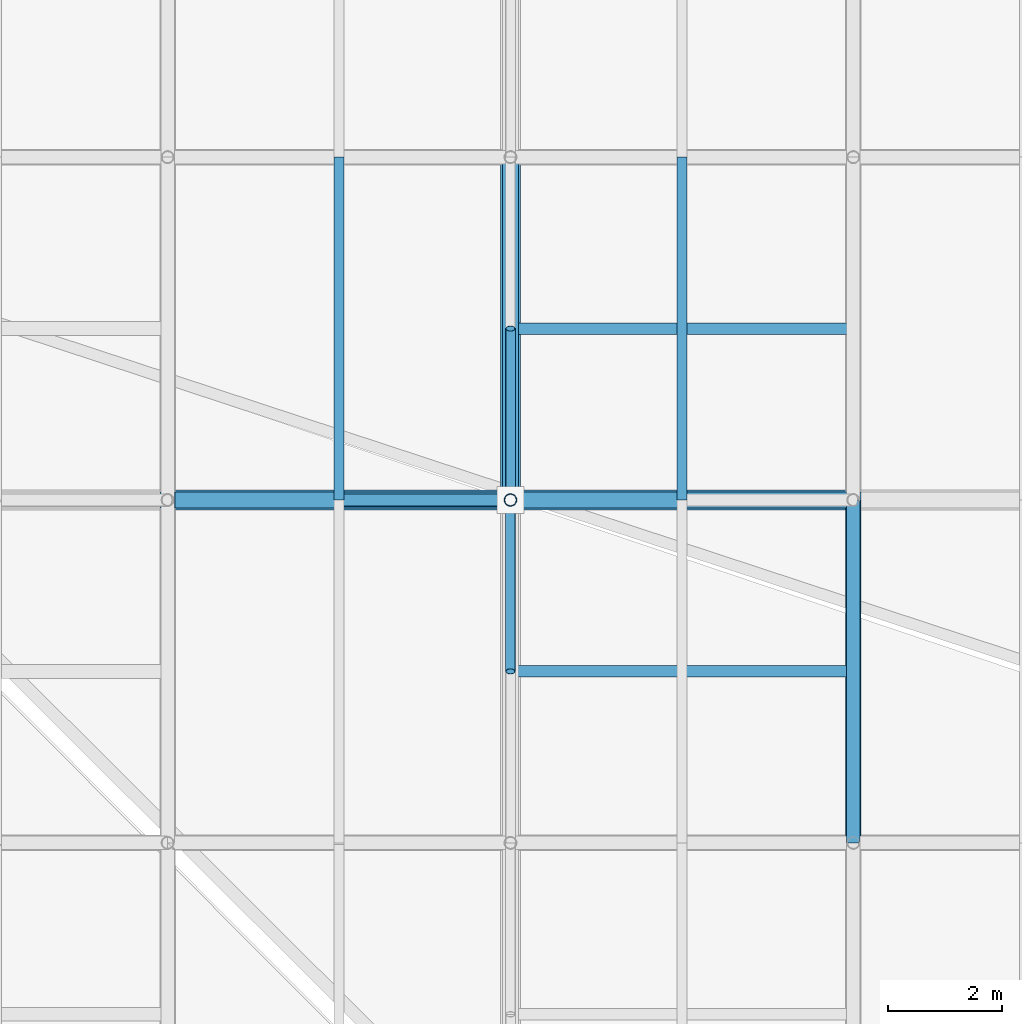
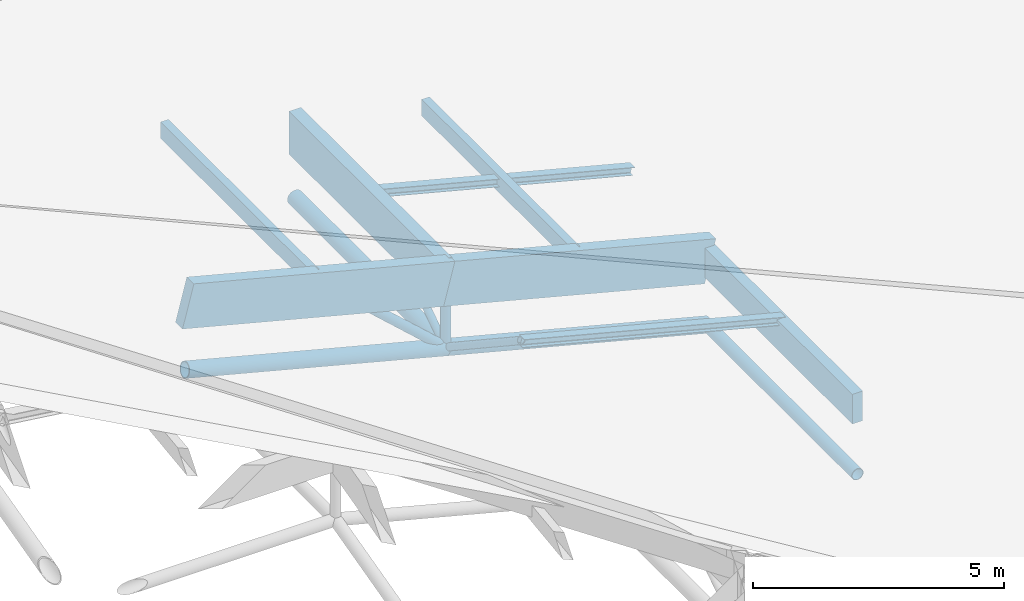
# One storey, part 37 of 80: 16 members.
"""IFC4 building model written with IfcOpenShell, lengths in metres."""

from ifc_helpers import new_model, si_unit, direction, frame, origin, origin_2d, place, context, subcontext, project, spatial, rectangle, hollow_circle, i_section, extrude, material, material_profile, profile_set, type_object, element, save


model = new_model("IFC4")

# Units and contexts
model_context = context("Model", 3, precision=1e-05, world=origin(), true_north=direction((0.0, 1.0)))
body_context = subcontext(model_context, "Body", "Model", "MODEL_VIEW")
ifc_project = project(units=[si_unit("LENGTHUNIT", "METRE"), si_unit("AREAUNIT", "SQUARE_METRE"), si_unit("VOLUMEUNIT", "CUBIC_METRE"), si_unit("PLANEANGLEUNIT", "RADIAN"), si_unit("MASSUNIT", "GRAM", prefix="KILO"), si_unit("THERMODYNAMICTEMPERATUREUNIT", "KELVIN"), si_unit("POWERUNIT", "WATT")], contexts=[model_context])

# Site, building, storey
site_placement = place(None, origin())
site = spatial("IfcSite", under=ifc_project, at=site_placement, CompositionType="ELEMENT")
building_placement = place(site_placement, origin())
building = spatial("IfcBuilding", under=site, at=building_placement, Name="Solmara Park Aquatics Centre", CompositionType="ELEMENT")
storey_placement = place(building_placement, frame((0.0, 0.0, 22.800048828125)))
storey = spatial("IfcBuildingStorey", under=building, at=storey_placement, Name="RF", CompositionType="ELEMENT", Elevation=22.800048828125)

# Members
ifc_material_1 = material(Name="Structural Steel S355", Category="steel")
ifc_material_profile_1 = material_profile(ifc_material_1, hollow_circle(Radius=0.084228515625, WallThickness=0.008056640625, at=origin_2d()), Name="CHS 168.3x8")
ifc_profile_set_1 = profile_set([ifc_material_profile_1], Name="Structural Steel S355")
member_type_1 = type_object("IfcMemberType", Name="STR-BRC-CHS168", PredefinedType="BRACE", material=ifc_profile_set_1)
for number, where, z_axis, x_axis, name in (
    (1, (84.60009765625, 36.60009765625, -8.0380859375), (0.0, -0.834611904619, 0.550838423377), (1.0, 0.0, 0.0), "Roof Truss Web Diagonal Y 1972"),
    (2, (84.60009765625, 36.60009765625, -8.0380859375), (0.0, 0.834611904619, 0.550838423377), (-1.0, 0.0, 0.0), "Roof Truss Web Diagonal Y 2000"),
):
    element("IfcMember", number, at=place(storey_placement, frame(where, z_axis=z_axis, x_axis=x_axis)), inside=storey, type_object=member_type_1, Name=name, PredefinedType="BRACE", context=body_context, shape_type="SweptSolid", body=[
        extrude(hollow_circle(Radius=0.084228515625, WallThickness=0.008056640625, at=origin_2d()), origin(), (0.0, 0.0, 1.0), 3.594482421875),
    ])
ifc_material_profile_2 = material_profile(ifc_material_1, hollow_circle(Radius=0.109619140625, WallThickness=0.010009765625, at=origin_2d()), Name="CHS 219.1x10")
ifc_profile_set_2 = profile_set([ifc_material_profile_2], Name="Structural Steel S355")
member_type_2 = type_object("IfcMemberType", Name="STR-BRC-CHS219", PredefinedType="BRACE", material=ifc_profile_set_2)
member_1_placement = place(storey_placement, frame((84.60009765625, 36.60009765625, -8.0380859375), z_axis=(-0.741347083846, 0.0, 0.671121822974), x_axis=(0.0, -1.0, 0.0)))
element("IfcMember", 3, at=member_1_placement, inside=storey, type_object=member_type_2, Name="Roof Truss Web Diagonal X 1731", PredefinedType="BRACE", context=body_context, shape_type="SweptSolid", body=[
    extrude(hollow_circle(Radius=0.109619140625, WallThickness=0.010009765625, at=origin_2d()), origin(), (0.0, 0.0, 1.0), 4.046630859375),
])
ifc_material_profile_3 = material_profile(ifc_material_1, hollow_circle(Radius=0.136474609375, WallThickness=0.012451171875, at=origin_2d()), Name="CHS 273x12.5")
ifc_profile_set_3 = profile_set([ifc_material_profile_3], Name="Structural Steel S355")
member_type_3 = type_object("IfcMemberType", Name="STR-CHD-CHS273", PredefinedType="CHORD", material=ifc_profile_set_3)
member_2_placement = place(storey_placement, frame((90.60009765625, 30.60009765625, -9.58984375), z_axis=(0.0, 1.0, 0.0), x_axis=(-1.0, 0.0, 0.0)))
element("IfcMember", 4, at=member_2_placement, inside=storey, type_object=member_type_3, Name="Steel Roof Truss Bottom Chord Y 0972", PredefinedType="CHORD", context=body_context, shape_type="SweptSolid", body=[
    extrude(hollow_circle(Radius=0.136474609375, WallThickness=0.012451171875, at=origin_2d()), origin(), (0.0, 0.0, 1.0), 6.0),
])
ifc_material_profile_4 = material_profile(ifc_material_1, hollow_circle(Radius=0.177734375, WallThickness=0.01611328125, at=origin_2d()), Name="CHS 355.6x16")
ifc_profile_set_4 = profile_set([ifc_material_profile_4], Name="Structural Steel S355")
member_type_4 = type_object("IfcMemberType", Name="STR-CHD-CHS355", PredefinedType="CHORD", material=ifc_profile_set_4)
for number, where, z_axis, x_axis, name in (
    (5, (78.60009765625, 36.60009765625, -6.486328125), (0.968145594442, 0.0, -0.250387914969), (0.0, 1.0, 0.0), "Steel Roof Truss Bottom Chord X 0244"),
    (6, (84.60009765625, 36.60009765625, -8.0380859375), (0.968145594442, 0.0, -0.250387914969), (0.0, 1.0, 0.0), "Steel Roof Truss Bottom Chord X 0246"),
):
    element("IfcMember", number, at=place(storey_placement, frame(where, z_axis=z_axis, x_axis=x_axis)), inside=storey, type_object=member_type_4, Name=name, PredefinedType="CHORD", context=body_context, shape_type="SweptSolid", body=[
        extrude(hollow_circle(Radius=0.177734375, WallThickness=0.01611328125, at=origin_2d()), origin(), (0.0, 0.0, 1.0), 6.197509765625),
    ])
member_3_placement = place(storey_placement, frame((84.60009765625, 36.60009765625, -8.0380859375), z_axis=(0.0, 1.0, 0.0), x_axis=(-1.0, 0.0, 0.0)))
element("IfcMember", 7, at=member_3_placement, inside=storey, type_object=member_type_4, Name="Steel Roof Truss Bottom Chord Y 0946", PredefinedType="CHORD", context=body_context, shape_type="SweptSolid", body=[
    extrude(hollow_circle(Radius=0.177734375, WallThickness=0.01611328125, at=origin_2d()), origin(), (0.0, 0.0, 1.0), 6.0),
])
ifc_material_2 = material(Name="Glulam Timber GL28h", Category="wood")
ifc_material_profile_5 = material_profile(ifc_material_2, rectangle(XDim=0.239990234375, YDim=0.719970703125, at=origin_2d()), Name="GL28h 240x720")
ifc_profile_set_5 = profile_set([ifc_material_profile_5], Name="Glulam Timber GL28h")
member_type_5 = type_object("IfcMemberType", Name="STR-CHD-GL240x720", PredefinedType="CHORD", material=ifc_profile_set_5)
member_4_placement = place(storey_placement, frame((90.60009765625, 30.60009765625, -7.9697265625), z_axis=(0.0, 1.0, 0.0), x_axis=(-1.0, 0.0, 0.0)))
element("IfcMember", 8, at=member_4_placement, inside=storey, type_object=member_type_5, Name="Glulam Roof Truss Top Chord Y 0971", PredefinedType="CHORD", context=body_context, shape_type="SweptSolid", body=[
    extrude(rectangle(XDim=0.239990234375, YDim=0.719970703125, at=origin_2d()), origin(), (0.0, 0.0, 1.0), 6.0),
])
ifc_material_profile_6 = material_profile(ifc_material_2, rectangle(XDim=0.280029296875, YDim=1.0400390625, at=origin_2d()), Name="GL28h 280x1040")
ifc_profile_set_6 = profile_set([ifc_material_profile_6], Name="Glulam Timber GL28h")
member_type_6 = type_object("IfcMemberType", Name="STR-CHD-GL280x1040", PredefinedType="CHORD", material=ifc_profile_set_6)
member_5_placement = place(storey_placement, frame((78.60009765625, 36.60009765625, -4.866455078125), z_axis=(0.968155143395, 0.0, -0.250350990246), x_axis=(0.0, 1.0, 0.0)))
element("IfcMember", 9, at=member_5_placement, inside=storey, type_object=member_type_6, Name="Glulam Roof Truss Top Chord X 0243", PredefinedType="CHORD", context=body_context, shape_type="SweptSolid", body=[
    extrude(rectangle(XDim=0.280029296875, YDim=1.0400390625, at=origin_2d()), origin(), (0.0, 0.0, 1.0), 6.197265625),
])
member_6_placement = place(storey_placement, frame((84.60009765625, 36.60009765625, -6.41796875), z_axis=(0.968145594442, 0.0, -0.250387914969), x_axis=(0.0, 1.0, 0.0)))
element("IfcMember", 10, at=member_6_placement, inside=storey, type_object=member_type_6, Name="Glulam Roof Truss Top Chord X 0245", PredefinedType="CHORD", context=body_context, shape_type="SweptSolid", body=[
    extrude(rectangle(XDim=0.280029296875, YDim=1.0400390625, at=origin_2d()), origin(), (0.0, 0.0, 1.0), 6.197509765625),
])
member_7_placement = place(storey_placement, frame((84.60009765625, 36.60009765625, -6.41796875), z_axis=(0.0, 1.0, 0.0), x_axis=(-1.0, 0.0, 0.0)))
element("IfcMember", 11, at=member_7_placement, inside=storey, type_object=member_type_6, Name="Glulam Roof Truss Top Chord Y 0945", PredefinedType="CHORD", context=body_context, shape_type="SweptSolid", body=[
    extrude(rectangle(XDim=0.280029296875, YDim=1.0400390625, at=origin_2d()), origin(), (0.0, 0.0, 1.0), 6.0),
])
ifc_material_profile_7 = material_profile(ifc_material_2, rectangle(XDim=0.179931640625, YDim=0.39990234375, at=origin_2d()), Name="GL28h 180x400")
ifc_profile_set_7 = profile_set([ifc_material_profile_7], Name="Glulam Timber GL28h")
member_type_7 = type_object("IfcMemberType", Name="STR-PRL-GL180x400", PredefinedType="PURLIN", material=ifc_profile_set_7)
for number, where, z_axis, x_axis, name in (
    (12, (81.60009765625, 36.60009765625, -5.322265625), (0.0, 1.0, 0.0), (-1.0, 0.0, 0.0), "Glulam Roof Purlin 1717"),
    (13, (87.60009765625, 36.60009765625, -6.8740234375), (0.0, 1.0, 0.0), (-1.0, 0.0, 0.0), "Glulam Roof Purlin 1745"),
):
    element("IfcMember", number, at=place(storey_placement, frame(where, z_axis=z_axis, x_axis=x_axis)), inside=storey, type_object=member_type_7, Name=name, PredefinedType="PURLIN", context=body_context, shape_type="SweptSolid", body=[
        extrude(rectangle(XDim=0.179931640625, YDim=0.39990234375, at=origin_2d()), origin(), (0.0, 0.0, 1.0), 6.0),
    ])
ifc_material_profile_8 = material_profile(ifc_material_1, i_section(OverallWidth=0.199951171875, OverallDepth=0.18994140625, WebThickness=0.006591796875, FlangeThickness=0.010009765625, FilletRadius=0.01806640625, at=origin_2d()), Name="HEA 200")
ifc_profile_set_8 = profile_set([ifc_material_profile_8], Name="Structural Steel S355")
member_type_8 = type_object("IfcMemberType", Name="STR-PRL-HEA200", PredefinedType="PURLIN", material=ifc_profile_set_8)
for number, where, z_axis, x_axis, name in (
    (14, (84.60009765625, 33.60009765625, -6.078125), (0.968155143395, 0.0, -0.250350990246), (0.0, 1.0, 0.0), "Glulam Secondary Roof Purlin 1959"),
    (15, (84.60009765625, 39.60009765625, -6.078125), (0.968155143395, 0.0, -0.250350990246), (0.0, 1.0, 0.0), "Glulam Secondary Roof Purlin 1984"),
):
    element("IfcMember", number, at=place(storey_placement, frame(where, z_axis=z_axis, x_axis=x_axis)), inside=storey, type_object=member_type_8, Name=name, PredefinedType="PURLIN", context=body_context, shape_type="SweptSolid", body=[
        extrude(i_section(OverallWidth=0.199951171875, OverallDepth=0.18994140625, WebThickness=0.006591796875, FlangeThickness=0.010009765625, FilletRadius=0.01806640625, at=origin_2d()), origin(), (0.0, 0.0, 1.0), 6.197265625),
    ])
ifc_material_profile_9 = material_profile(ifc_material_1, hollow_circle(Radius=0.109619140625, WallThickness=0.010009765625, at=origin_2d()), Name="CHS 219.1x10")
ifc_profile_set_9 = profile_set([ifc_material_profile_9], Name="Structural Steel S355")
member_type_9 = type_object("IfcMemberType", Name="STR-PST-CHS219", PredefinedType="POST", material=ifc_profile_set_9)
member_8_placement = place(storey_placement, frame((84.60009765625, 36.60009765625, -8.0380859375), z_axis=(0.0, 0.0, 1.0), x_axis=(1.0, 0.0, 0.0)))
element("IfcMember", 16, at=member_8_placement, inside=storey, type_object=member_type_9, Name="Roof Truss Web Post 1282", PredefinedType="POST", context=body_context, shape_type="SweptSolid", body=[
    extrude(hollow_circle(Radius=0.109619140625, WallThickness=0.010009765625, at=origin_2d()), origin(), (0.0, 0.0, 1.0), 1.6201171875),
])

save(model, "model.ifc")
